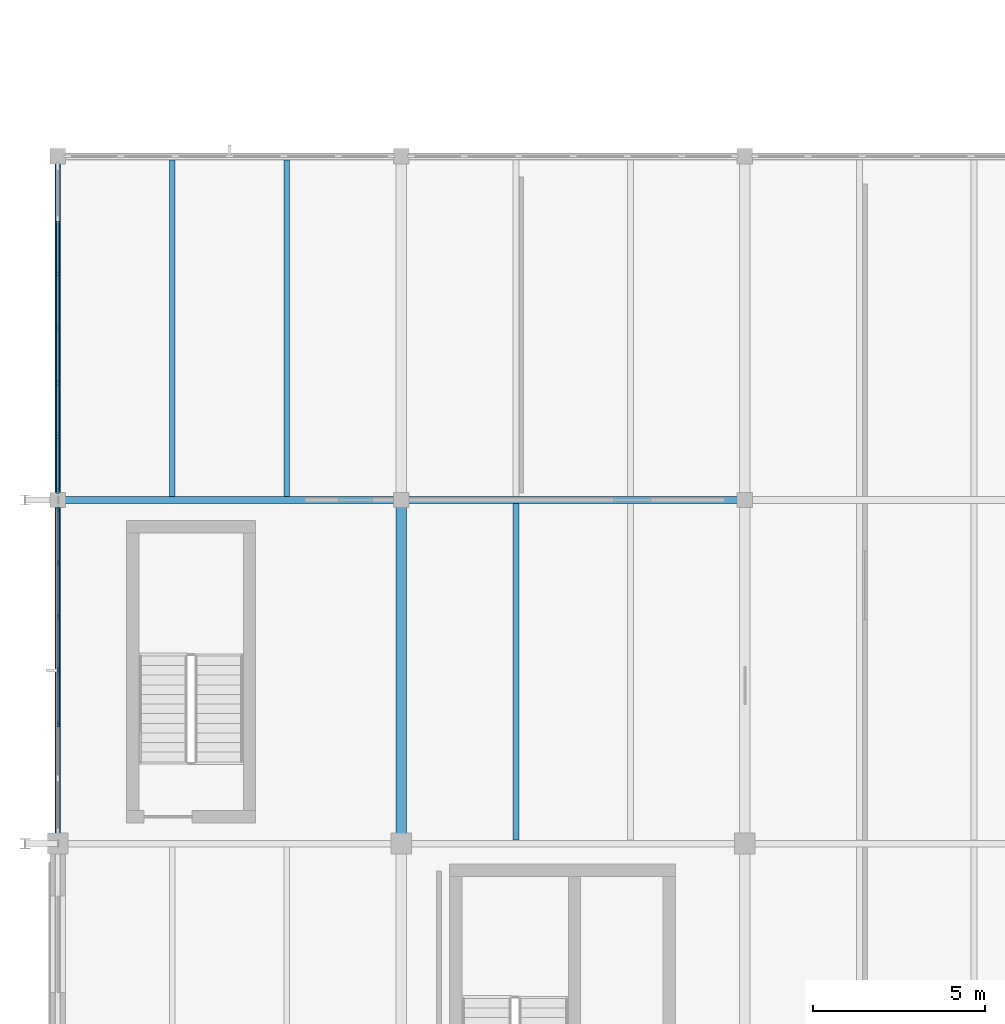
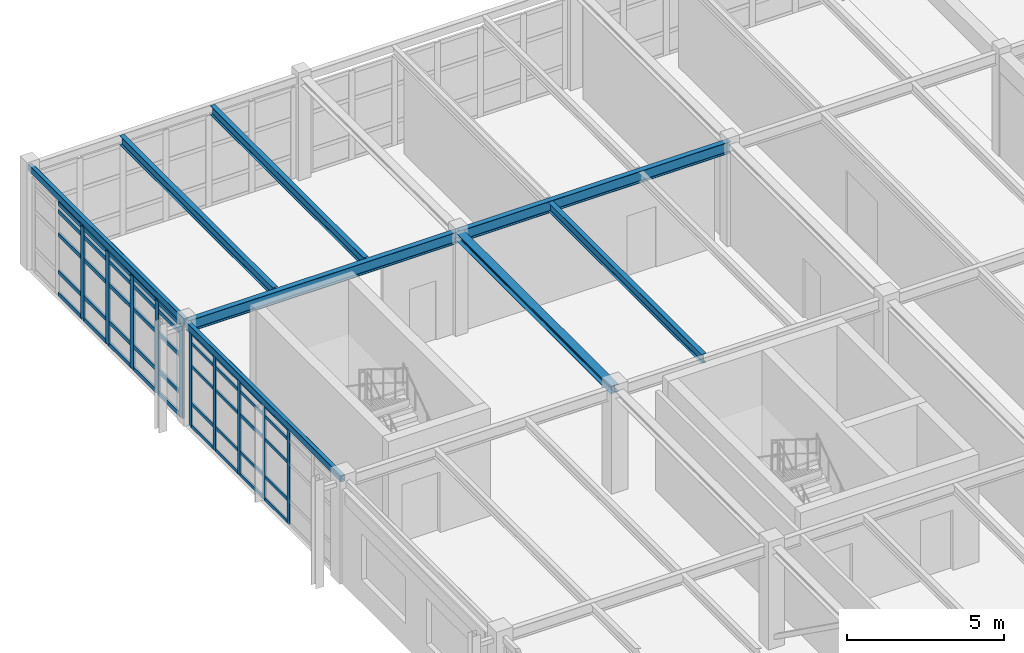
# One storey, part 33 of 122: 55 members, 8 beams, 2 elements without a shape of their own.
"""IFC4 building model written with IfcOpenShell, lengths in metres."""

from ifc_helpers import new_model, si_unit, direction, frame, origin, origin_2d, place, context, subcontext, project, spatial, rectangle, hollow_rectangle, i_section, extrude, material, layer, layer_set, material_profile, profile_set, type_object, element, aggregate, save


model = new_model("IFC4")

# Units and contexts
model_context = context("Model", 3, precision=1e-05, world=origin(), true_north=direction((0.0, 1.0)))
body_context = subcontext(model_context, "Body", "Model", "MODEL_VIEW")
ifc_project = project(units=[si_unit("LENGTHUNIT", "METRE"), si_unit("AREAUNIT", "SQUARE_METRE"), si_unit("VOLUMEUNIT", "CUBIC_METRE"), si_unit("PLANEANGLEUNIT", "RADIAN"), si_unit("MASSUNIT", "GRAM", prefix="KILO"), si_unit("THERMODYNAMICTEMPERATUREUNIT", "KELVIN"), si_unit("POWERUNIT", "WATT")], contexts=[model_context])

# Site, building, storey
site_placement = place(None, origin())
site = spatial("IfcSite", under=ifc_project, at=site_placement, CompositionType="ELEMENT")
building_placement = place(site_placement, origin())
building = spatial("IfcBuilding", under=site, at=building_placement, Name="Korenveer Ferry Terminal", CompositionType="ELEMENT")
storey_placement = place(building_placement, frame((0.0, 0.0, 10.199951171875)))
storey = spatial("IfcBuildingStorey", under=building, at=storey_placement, Name="L02", CompositionType="ELEMENT", Elevation=10.199951171875)

# Curtain wall, members
ifc_material_1 = material(Name="Unitised bronze-and-glass curtain wall", Category="glass")
ifc_layer_1 = layer(ifc_material_1, 0.159912109375)
ifc_layer_set_1 = layer_set([ifc_layer_1], Name="Unitised bronze-and-glass curtain wall")
curtain_wall_type_1 = type_object("IfcCurtainWallType", Name="ENV-CW-106", PredefinedType="USERDEFINED", material=ifc_layer_set_1)
curtain_wall_1_placement = place(storey_placement, frame((0.0, 60.330078125, 0.0)))
curtain_wall_1 = element("IfcCurtainWall", 1, at=curtain_wall_1_placement, inside=storey, type_object=curtain_wall_type_1, Name="Lancet curtain wall CWX-L02-X0-0-Y60-70", ObjectType="UNITISED CURTAIN WALL", PredefinedType="USERDEFINED")
ifc_material_2 = material(Name="Anodised bronze aluminium", Category="aluminium")
ifc_material_profile_1 = material_profile(ifc_material_2, rectangle(XDim=0.06005859375, YDim=0.159912109375, at=origin_2d()), Name="ALU 60x160")
ifc_profile_set_1 = profile_set([ifc_material_profile_1], Name="Anodised bronze aluminium")
member_type_1 = type_object("IfcMemberType", Name="ENV-CWM-60X160", PredefinedType="MULLION", material=ifc_profile_set_1)
member_1_placement = place(storey_placement, frame((0.0, 63.46826171875, 0.0), z_axis=(0.0, 0.0, 1.0), x_axis=(-1.0, 0.0, 0.0)))
member_1 = element("IfcMember", 2, at=member_1_placement, type_object=member_type_1, Name="CW-106 mullion 3", PredefinedType="MULLION", context=body_context, shape_type="SweptSolid", body=[
    extrude(rectangle(XDim=0.06005859375, YDim=0.159912109375, at=origin_2d()), origin(), (0.0, 0.0, 1.0), 3.670166015625),
])
member_2_placement = place(storey_placement, frame((0.0, 65.03759765625, 0.0), z_axis=(0.0, 0.0, 1.0), x_axis=(-1.0, 0.0, 0.0)))
member_2 = element("IfcMember", 3, at=member_2_placement, type_object=member_type_1, Name="CW-106 mullion 4", PredefinedType="MULLION", context=body_context, shape_type="SweptSolid", body=[
    extrude(rectangle(XDim=0.06005859375, YDim=0.159912109375, at=origin_2d()), origin(), (0.0, 0.0, 1.0), 3.670166015625),
])
member_3_placement = place(storey_placement, frame((0.0, 66.606689453125, 0.0), z_axis=(0.0, 0.0, 1.0), x_axis=(-1.0, 0.0, 0.0)))
member_3 = element("IfcMember", 4, at=member_3_placement, type_object=member_type_1, Name="CW-106 mullion 5", PredefinedType="MULLION", context=body_context, shape_type="SweptSolid", body=[
    extrude(rectangle(XDim=0.06005859375, YDim=0.159912109375, at=origin_2d()), origin(), (0.0, 0.0, 1.0), 3.670166015625),
])
member_4_placement = place(storey_placement, frame((0.0, 68.17578125, 0.0), z_axis=(0.0, 0.0, 1.0), x_axis=(-1.0, 0.0, 0.0)))
member_4 = element("IfcMember", 5, at=member_4_placement, type_object=member_type_1, Name="CW-106 mullion 6", PredefinedType="MULLION", context=body_context, shape_type="SweptSolid", body=[
    extrude(rectangle(XDim=0.06005859375, YDim=0.159912109375, at=origin_2d()), origin(), (0.0, 0.0, 1.0), 3.670166015625),
])
member_5_placement = place(storey_placement, frame((0.0, 69.715087890625, 0.0), z_axis=(0.0, 0.0, 1.0), x_axis=(-1.0, 0.0, 0.0)))
member_5 = element("IfcMember", 6, at=member_5_placement, type_object=member_type_1, Name="CW-106 mullion 7", PredefinedType="MULLION", context=body_context, shape_type="SweptSolid", body=[
    extrude(rectangle(XDim=0.06005859375, YDim=0.159912109375, at=origin_2d()), origin(), (0.0, 0.0, 1.0), 3.670166015625),
])

ifc_layer_2 = layer(ifc_material_1, 0.219970703125)
ifc_layer_set_2 = layer_set([ifc_layer_2], Name="Unitised bronze-and-glass curtain wall")
curtain_wall_type_2 = type_object("IfcCurtainWallType", Name="ENV-CW-107", PredefinedType="USERDEFINED", material=ifc_layer_set_2)
curtain_wall_2_placement = place(storey_placement, frame((0.0, 70.2548828125, 0.0)))
curtain_wall_2 = element("IfcCurtainWall", 7, at=curtain_wall_2_placement, inside=storey, type_object=curtain_wall_type_2, Name="Lancet curtain wall CWX-L02-X0-0-Y70-80", ObjectType="UNITISED CURTAIN WALL", PredefinedType="USERDEFINED")
ifc_material_profile_2 = material_profile(ifc_material_2, rectangle(XDim=0.074951171875, YDim=0.219970703125, at=origin_2d()), Name="ALU 75x220")
ifc_profile_set_2 = profile_set([ifc_material_profile_2], Name="Anodised bronze aluminium")
member_type_2 = type_object("IfcMemberType", Name="ENV-CWM-75X220", PredefinedType="MULLION", material=ifc_profile_set_2)
member_6_placement = place(storey_placement, frame((0.0, 70.29248046875, 0.0), z_axis=(0.0, 0.0, 1.0), x_axis=(-1.0, 0.0, 0.0)))
member_6 = element("IfcMember", 8, at=member_6_placement, type_object=member_type_2, Name="CW-107 mullion 1", PredefinedType="MULLION", context=body_context, shape_type="SweptSolid", body=[
    extrude(rectangle(XDim=0.074951171875, YDim=0.219970703125, at=origin_2d()), origin(), (0.0, 0.0, 1.0), 3.60009765625),
])
member_7_placement = place(storey_placement, frame((0.0, 71.836669921875, 0.0), z_axis=(0.0, 0.0, 1.0), x_axis=(-1.0, 0.0, 0.0)))
member_7 = element("IfcMember", 9, at=member_7_placement, type_object=member_type_2, Name="CW-107 mullion 2", PredefinedType="MULLION", context=body_context, shape_type="SweptSolid", body=[
    extrude(rectangle(XDim=0.074951171875, YDim=0.219970703125, at=origin_2d()), origin(), (0.0, 0.0, 1.0), 3.60009765625),
])
member_8_placement = place(storey_placement, frame((0.0, 73.418212890625, 0.0), z_axis=(0.0, 0.0, 1.0), x_axis=(-1.0, 0.0, 0.0)))
member_8 = element("IfcMember", 10, at=member_8_placement, type_object=member_type_2, Name="CW-107 mullion 3", PredefinedType="MULLION", context=body_context, shape_type="SweptSolid", body=[
    extrude(rectangle(XDim=0.074951171875, YDim=0.219970703125, at=origin_2d()), origin(), (0.0, 0.0, 1.0), 3.60009765625),
])
member_9_placement = place(storey_placement, frame((0.0, 75.0, 0.0), z_axis=(0.0, 0.0, 1.0), x_axis=(-1.0, 0.0, 0.0)))
member_9 = element("IfcMember", 11, at=member_9_placement, type_object=member_type_2, Name="CW-107 mullion 4", PredefinedType="MULLION", context=body_context, shape_type="SweptSolid", body=[
    extrude(rectangle(XDim=0.074951171875, YDim=0.219970703125, at=origin_2d()), origin(), (0.0, 0.0, 1.0), 3.60009765625),
])
member_10_placement = place(storey_placement, frame((0.0, 76.581787109375, 0.0), z_axis=(0.0, 0.0, 1.0), x_axis=(-1.0, 0.0, 0.0)))
member_10 = element("IfcMember", 12, at=member_10_placement, type_object=member_type_2, Name="CW-107 mullion 5", PredefinedType="MULLION", context=body_context, shape_type="SweptSolid", body=[
    extrude(rectangle(XDim=0.074951171875, YDim=0.219970703125, at=origin_2d()), origin(), (0.0, 0.0, 1.0), 3.60009765625),
])

# Member
ifc_material_profile_3 = material_profile(ifc_material_2, rectangle(XDim=0.06005859375, YDim=0.1201171875, at=origin_2d()), Name="ALU 60x120")
ifc_profile_set_3 = profile_set([ifc_material_profile_3], Name="Anodised bronze aluminium")
member_type_3 = type_object("IfcMemberType", Name="ENV-CWT-60X120", PredefinedType="USERDEFINED", material=ifc_profile_set_3)
member_11_placement = place(storey_placement, frame((0.0, 63.498291015625, 0.030029296875), z_axis=(0.0, 1.0, 0.0), x_axis=(-1.0, 0.0, 0.0)))
member_11 = element("IfcMember", 13, at=member_11_placement, type_object=member_type_3, Name="CW-106 transom 3.1", ObjectType="TRANSOM", PredefinedType="USERDEFINED", context=body_context, shape_type="SweptSolid", body=[
    extrude(rectangle(XDim=0.06005859375, YDim=0.1201171875, at=origin_2d()), origin(), (0.0, 0.0, 1.0), 1.50927734375),
])

member_12_placement = place(storey_placement, frame((0.0, 63.498291015625, 0.900146484375), z_axis=(0.0, 1.0, 0.0), x_axis=(-1.0, 0.0, 0.0)))
member_12 = element("IfcMember", 14, at=member_12_placement, type_object=member_type_3, Name="CW-106 transom 3.2", ObjectType="TRANSOM", PredefinedType="USERDEFINED", context=body_context, shape_type="SweptSolid", body=[
    extrude(rectangle(XDim=0.06005859375, YDim=0.1201171875, at=origin_2d()), origin(), (0.0, 0.0, 1.0), 1.50927734375),
])

member_13_placement = place(storey_placement, frame((0.0, 63.498291015625, 2.35009765625), z_axis=(0.0, 1.0, 0.0), x_axis=(-1.0, 0.0, 0.0)))
member_13 = element("IfcMember", 15, at=member_13_placement, type_object=member_type_3, Name="CW-106 transom 3.3", ObjectType="TRANSOM", PredefinedType="USERDEFINED", context=body_context, shape_type="SweptSolid", body=[
    extrude(rectangle(XDim=0.06005859375, YDim=0.1201171875, at=origin_2d()), origin(), (0.0, 0.0, 1.0), 1.50927734375),
])

member_14_placement = place(storey_placement, frame((0.0, 63.498291015625, 3.25), z_axis=(0.0, 1.0, 0.0), x_axis=(-1.0, 0.0, 0.0)))
member_14 = element("IfcMember", 16, at=member_14_placement, type_object=member_type_3, Name="CW-106 transom 3.4", ObjectType="TRANSOM", PredefinedType="USERDEFINED", context=body_context, shape_type="SweptSolid", body=[
    extrude(rectangle(XDim=0.06005859375, YDim=0.1201171875, at=origin_2d()), origin(), (0.0, 0.0, 1.0), 1.50927734375),
])

member_15_placement = place(storey_placement, frame((0.0, 63.498291015625, 3.64013671875), z_axis=(0.0, 1.0, 0.0), x_axis=(-1.0, 0.0, 0.0)))
member_15 = element("IfcMember", 17, at=member_15_placement, type_object=member_type_3, Name="CW-106 transom 3.5", ObjectType="TRANSOM", PredefinedType="USERDEFINED", context=body_context, shape_type="SweptSolid", body=[
    extrude(rectangle(XDim=0.06005859375, YDim=0.1201171875, at=origin_2d()), origin(), (0.0, 0.0, 1.0), 1.50927734375),
])

member_16_placement = place(storey_placement, frame((0.0, 65.0673828125, 0.030029296875), z_axis=(0.0, 1.0, 0.0), x_axis=(-1.0, 0.0, 0.0)))
member_16 = element("IfcMember", 18, at=member_16_placement, type_object=member_type_3, Name="CW-106 transom 4.1", ObjectType="TRANSOM", PredefinedType="USERDEFINED", context=body_context, shape_type="SweptSolid", body=[
    extrude(rectangle(XDim=0.06005859375, YDim=0.1201171875, at=origin_2d()), origin(), (0.0, 0.0, 1.0), 1.50927734375),
])

member_17_placement = place(storey_placement, frame((0.0, 65.0673828125, 0.900146484375), z_axis=(0.0, 1.0, 0.0), x_axis=(-1.0, 0.0, 0.0)))
member_17 = element("IfcMember", 19, at=member_17_placement, type_object=member_type_3, Name="CW-106 transom 4.2", ObjectType="TRANSOM", PredefinedType="USERDEFINED", context=body_context, shape_type="SweptSolid", body=[
    extrude(rectangle(XDim=0.06005859375, YDim=0.1201171875, at=origin_2d()), origin(), (0.0, 0.0, 1.0), 1.50927734375),
])

member_18_placement = place(storey_placement, frame((0.0, 65.0673828125, 2.35009765625), z_axis=(0.0, 1.0, 0.0), x_axis=(-1.0, 0.0, 0.0)))
member_18 = element("IfcMember", 20, at=member_18_placement, type_object=member_type_3, Name="CW-106 transom 4.3", ObjectType="TRANSOM", PredefinedType="USERDEFINED", context=body_context, shape_type="SweptSolid", body=[
    extrude(rectangle(XDim=0.06005859375, YDim=0.1201171875, at=origin_2d()), origin(), (0.0, 0.0, 1.0), 1.50927734375),
])

member_19_placement = place(storey_placement, frame((0.0, 65.0673828125, 3.25), z_axis=(0.0, 1.0, 0.0), x_axis=(-1.0, 0.0, 0.0)))
member_19 = element("IfcMember", 21, at=member_19_placement, type_object=member_type_3, Name="CW-106 transom 4.4", ObjectType="TRANSOM", PredefinedType="USERDEFINED", context=body_context, shape_type="SweptSolid", body=[
    extrude(rectangle(XDim=0.06005859375, YDim=0.1201171875, at=origin_2d()), origin(), (0.0, 0.0, 1.0), 1.50927734375),
])

member_20_placement = place(storey_placement, frame((0.0, 65.0673828125, 3.64013671875), z_axis=(0.0, 1.0, 0.0), x_axis=(-1.0, 0.0, 0.0)))
member_20 = element("IfcMember", 22, at=member_20_placement, type_object=member_type_3, Name="CW-106 transom 4.5", ObjectType="TRANSOM", PredefinedType="USERDEFINED", context=body_context, shape_type="SweptSolid", body=[
    extrude(rectangle(XDim=0.06005859375, YDim=0.1201171875, at=origin_2d()), origin(), (0.0, 0.0, 1.0), 1.50927734375),
])

member_21_placement = place(storey_placement, frame((0.0, 66.63671875, 0.030029296875), z_axis=(0.0, 1.0, 0.0), x_axis=(-1.0, 0.0, 0.0)))
member_21 = element("IfcMember", 23, at=member_21_placement, type_object=member_type_3, Name="CW-106 transom 5.1", ObjectType="TRANSOM", PredefinedType="USERDEFINED", context=body_context, shape_type="SweptSolid", body=[
    extrude(rectangle(XDim=0.06005859375, YDim=0.1201171875, at=origin_2d()), origin(), (0.0, 0.0, 1.0), 1.509033203125),
])

member_22_placement = place(storey_placement, frame((0.0, 66.63671875, 0.900146484375), z_axis=(0.0, 1.0, 0.0), x_axis=(-1.0, 0.0, 0.0)))
member_22 = element("IfcMember", 24, at=member_22_placement, type_object=member_type_3, Name="CW-106 transom 5.2", ObjectType="TRANSOM", PredefinedType="USERDEFINED", context=body_context, shape_type="SweptSolid", body=[
    extrude(rectangle(XDim=0.06005859375, YDim=0.1201171875, at=origin_2d()), origin(), (0.0, 0.0, 1.0), 1.509033203125),
])

member_23_placement = place(storey_placement, frame((0.0, 66.63671875, 2.35009765625), z_axis=(0.0, 1.0, 0.0), x_axis=(-1.0, 0.0, 0.0)))
member_23 = element("IfcMember", 25, at=member_23_placement, type_object=member_type_3, Name="CW-106 transom 5.3", ObjectType="TRANSOM", PredefinedType="USERDEFINED", context=body_context, shape_type="SweptSolid", body=[
    extrude(rectangle(XDim=0.06005859375, YDim=0.1201171875, at=origin_2d()), origin(), (0.0, 0.0, 1.0), 1.509033203125),
])

member_24_placement = place(storey_placement, frame((0.0, 66.63671875, 3.25), z_axis=(0.0, 1.0, 0.0), x_axis=(-1.0, 0.0, 0.0)))
member_24 = element("IfcMember", 26, at=member_24_placement, type_object=member_type_3, Name="CW-106 transom 5.4", ObjectType="TRANSOM", PredefinedType="USERDEFINED", context=body_context, shape_type="SweptSolid", body=[
    extrude(rectangle(XDim=0.06005859375, YDim=0.1201171875, at=origin_2d()), origin(), (0.0, 0.0, 1.0), 1.509033203125),
])

member_25_placement = place(storey_placement, frame((0.0, 66.63671875, 3.64013671875), z_axis=(0.0, 1.0, 0.0), x_axis=(-1.0, 0.0, 0.0)))
member_25 = element("IfcMember", 27, at=member_25_placement, type_object=member_type_3, Name="CW-106 transom 5.5", ObjectType="TRANSOM", PredefinedType="USERDEFINED", context=body_context, shape_type="SweptSolid", body=[
    extrude(rectangle(XDim=0.06005859375, YDim=0.1201171875, at=origin_2d()), origin(), (0.0, 0.0, 1.0), 1.509033203125),
])

member_26_placement = place(storey_placement, frame((0.0, 68.205810546875, 0.030029296875), z_axis=(0.0, 1.0, 0.0), x_axis=(-1.0, 0.0, 0.0)))
member_26 = element("IfcMember", 28, at=member_26_placement, type_object=member_type_3, Name="CW-106 transom 6.1", ObjectType="TRANSOM", PredefinedType="USERDEFINED", context=body_context, shape_type="SweptSolid", body=[
    extrude(rectangle(XDim=0.06005859375, YDim=0.1201171875, at=origin_2d()), origin(), (0.0, 0.0, 1.0), 1.479248046875),
])

member_27_placement = place(storey_placement, frame((0.0, 68.205810546875, 0.900146484375), z_axis=(0.0, 1.0, 0.0), x_axis=(-1.0, 0.0, 0.0)))
member_27 = element("IfcMember", 29, at=member_27_placement, type_object=member_type_3, Name="CW-106 transom 6.2", ObjectType="TRANSOM", PredefinedType="USERDEFINED", context=body_context, shape_type="SweptSolid", body=[
    extrude(rectangle(XDim=0.06005859375, YDim=0.1201171875, at=origin_2d()), origin(), (0.0, 0.0, 1.0), 1.479248046875),
])

member_28_placement = place(storey_placement, frame((0.0, 68.205810546875, 2.35009765625), z_axis=(0.0, 1.0, 0.0), x_axis=(-1.0, 0.0, 0.0)))
member_28 = element("IfcMember", 30, at=member_28_placement, type_object=member_type_3, Name="CW-106 transom 6.3", ObjectType="TRANSOM", PredefinedType="USERDEFINED", context=body_context, shape_type="SweptSolid", body=[
    extrude(rectangle(XDim=0.06005859375, YDim=0.1201171875, at=origin_2d()), origin(), (0.0, 0.0, 1.0), 1.479248046875),
])

member_29_placement = place(storey_placement, frame((0.0, 68.205810546875, 3.25), z_axis=(0.0, 1.0, 0.0), x_axis=(-1.0, 0.0, 0.0)))
member_29 = element("IfcMember", 31, at=member_29_placement, type_object=member_type_3, Name="CW-106 transom 6.4", ObjectType="TRANSOM", PredefinedType="USERDEFINED", context=body_context, shape_type="SweptSolid", body=[
    extrude(rectangle(XDim=0.06005859375, YDim=0.1201171875, at=origin_2d()), origin(), (0.0, 0.0, 1.0), 1.479248046875),
])

member_30_placement = place(storey_placement, frame((0.0, 68.205810546875, 3.64013671875), z_axis=(0.0, 1.0, 0.0), x_axis=(-1.0, 0.0, 0.0)))
member_30 = element("IfcMember", 32, at=member_30_placement, type_object=member_type_3, Name="CW-106 transom 6.5", ObjectType="TRANSOM", PredefinedType="USERDEFINED", context=body_context, shape_type="SweptSolid", body=[
    extrude(rectangle(XDim=0.06005859375, YDim=0.1201171875, at=origin_2d()), origin(), (0.0, 0.0, 1.0), 1.479248046875),
])

aggregate(curtain_wall_1, [member_1, member_2, member_3, member_4, member_5, member_11, member_12, member_13, member_14, member_15, member_16, member_17, member_18, member_19, member_20, member_21, member_22, member_23, member_24, member_25, member_26, member_27, member_28, member_29, member_30])

ifc_material_profile_4 = material_profile(ifc_material_2, rectangle(XDim=0.074951171875, YDim=0.14990234375, at=origin_2d()), Name="ALU 75x150")
ifc_profile_set_4 = profile_set([ifc_material_profile_4], Name="Anodised bronze aluminium")
member_type_4 = type_object("IfcMemberType", Name="ENV-CWT-75X150", PredefinedType="USERDEFINED", material=ifc_profile_set_4)
member_31_placement = place(storey_placement, frame((0.0, 70.330078125, 0.03759765625), z_axis=(0.0, 1.0, 0.0), x_axis=(-1.0, 0.0, 0.0)))
member_31 = element("IfcMember", 33, at=member_31_placement, type_object=member_type_4, Name="CW-107 transom 1.1", ObjectType="TRANSOM", PredefinedType="USERDEFINED", context=body_context, shape_type="SweptSolid", body=[
    extrude(rectangle(XDim=0.074951171875, YDim=0.14990234375, at=origin_2d()), origin(), (0.0, 0.0, 1.0), 1.468994140625),
])

member_32_placement = place(storey_placement, frame((0.0, 70.330078125, 0.900146484375), z_axis=(0.0, 1.0, 0.0), x_axis=(-1.0, 0.0, 0.0)))
member_32 = element("IfcMember", 34, at=member_32_placement, type_object=member_type_4, Name="CW-107 transom 1.2", ObjectType="TRANSOM", PredefinedType="USERDEFINED", context=body_context, shape_type="SweptSolid", body=[
    extrude(rectangle(XDim=0.074951171875, YDim=0.14990234375, at=origin_2d()), origin(), (0.0, 0.0, 1.0), 1.468994140625),
])

member_33_placement = place(storey_placement, frame((0.0, 70.330078125, 2.35009765625), z_axis=(0.0, 1.0, 0.0), x_axis=(-1.0, 0.0, 0.0)))
member_33 = element("IfcMember", 35, at=member_33_placement, type_object=member_type_4, Name="CW-107 transom 1.3", ObjectType="TRANSOM", PredefinedType="USERDEFINED", context=body_context, shape_type="SweptSolid", body=[
    extrude(rectangle(XDim=0.074951171875, YDim=0.14990234375, at=origin_2d()), origin(), (0.0, 0.0, 1.0), 1.468994140625),
])

member_34_placement = place(storey_placement, frame((0.0, 70.330078125, 3.25), z_axis=(0.0, 1.0, 0.0), x_axis=(-1.0, 0.0, 0.0)))
member_34 = element("IfcMember", 36, at=member_34_placement, type_object=member_type_4, Name="CW-107 transom 1.4", ObjectType="TRANSOM", PredefinedType="USERDEFINED", context=body_context, shape_type="SweptSolid", body=[
    extrude(rectangle(XDim=0.074951171875, YDim=0.14990234375, at=origin_2d()), origin(), (0.0, 0.0, 1.0), 1.468994140625),
])

member_35_placement = place(storey_placement, frame((0.0, 70.330078125, 3.5625), z_axis=(0.0, 1.0, 0.0), x_axis=(-1.0, 0.0, 0.0)))
member_35 = element("IfcMember", 37, at=member_35_placement, type_object=member_type_4, Name="CW-107 transom 1.5", ObjectType="TRANSOM", PredefinedType="USERDEFINED", context=body_context, shape_type="SweptSolid", body=[
    extrude(rectangle(XDim=0.074951171875, YDim=0.14990234375, at=origin_2d()), origin(), (0.0, 0.0, 1.0), 1.468994140625),
])

member_36_placement = place(storey_placement, frame((0.0, 71.874267578125, 0.03759765625), z_axis=(0.0, 1.0, 0.0), x_axis=(-1.0, 0.0, 0.0)))
member_36 = element("IfcMember", 38, at=member_36_placement, type_object=member_type_4, Name="CW-107 transom 2.1", ObjectType="TRANSOM", PredefinedType="USERDEFINED", context=body_context, shape_type="SweptSolid", body=[
    extrude(rectangle(XDim=0.074951171875, YDim=0.14990234375, at=origin_2d()), origin(), (0.0, 0.0, 1.0), 1.506591796875),
])

member_37_placement = place(storey_placement, frame((0.0, 71.874267578125, 0.900146484375), z_axis=(0.0, 1.0, 0.0), x_axis=(-1.0, 0.0, 0.0)))
member_37 = element("IfcMember", 39, at=member_37_placement, type_object=member_type_4, Name="CW-107 transom 2.2", ObjectType="TRANSOM", PredefinedType="USERDEFINED", context=body_context, shape_type="SweptSolid", body=[
    extrude(rectangle(XDim=0.074951171875, YDim=0.14990234375, at=origin_2d()), origin(), (0.0, 0.0, 1.0), 1.506591796875),
])

member_38_placement = place(storey_placement, frame((0.0, 71.874267578125, 2.35009765625), z_axis=(0.0, 1.0, 0.0), x_axis=(-1.0, 0.0, 0.0)))
member_38 = element("IfcMember", 40, at=member_38_placement, type_object=member_type_4, Name="CW-107 transom 2.3", ObjectType="TRANSOM", PredefinedType="USERDEFINED", context=body_context, shape_type="SweptSolid", body=[
    extrude(rectangle(XDim=0.074951171875, YDim=0.14990234375, at=origin_2d()), origin(), (0.0, 0.0, 1.0), 1.506591796875),
])

member_39_placement = place(storey_placement, frame((0.0, 71.874267578125, 3.25), z_axis=(0.0, 1.0, 0.0), x_axis=(-1.0, 0.0, 0.0)))
member_39 = element("IfcMember", 41, at=member_39_placement, type_object=member_type_4, Name="CW-107 transom 2.4", ObjectType="TRANSOM", PredefinedType="USERDEFINED", context=body_context, shape_type="SweptSolid", body=[
    extrude(rectangle(XDim=0.074951171875, YDim=0.14990234375, at=origin_2d()), origin(), (0.0, 0.0, 1.0), 1.506591796875),
])

member_40_placement = place(storey_placement, frame((0.0, 71.874267578125, 3.5625), z_axis=(0.0, 1.0, 0.0), x_axis=(-1.0, 0.0, 0.0)))
member_40 = element("IfcMember", 42, at=member_40_placement, type_object=member_type_4, Name="CW-107 transom 2.5", ObjectType="TRANSOM", PredefinedType="USERDEFINED", context=body_context, shape_type="SweptSolid", body=[
    extrude(rectangle(XDim=0.074951171875, YDim=0.14990234375, at=origin_2d()), origin(), (0.0, 0.0, 1.0), 1.506591796875),
])

member_41_placement = place(storey_placement, frame((0.0, 73.455810546875, 0.03759765625), z_axis=(0.0, 1.0, 0.0), x_axis=(-1.0, 0.0, 0.0)))
member_41 = element("IfcMember", 43, at=member_41_placement, type_object=member_type_4, Name="CW-107 transom 3.1", ObjectType="TRANSOM", PredefinedType="USERDEFINED", context=body_context, shape_type="SweptSolid", body=[
    extrude(rectangle(XDim=0.074951171875, YDim=0.14990234375, at=origin_2d()), origin(), (0.0, 0.0, 1.0), 1.506591796875),
])

member_42_placement = place(storey_placement, frame((0.0, 73.455810546875, 0.900146484375), z_axis=(0.0, 1.0, 0.0), x_axis=(-1.0, 0.0, 0.0)))
member_42 = element("IfcMember", 44, at=member_42_placement, type_object=member_type_4, Name="CW-107 transom 3.2", ObjectType="TRANSOM", PredefinedType="USERDEFINED", context=body_context, shape_type="SweptSolid", body=[
    extrude(rectangle(XDim=0.074951171875, YDim=0.14990234375, at=origin_2d()), origin(), (0.0, 0.0, 1.0), 1.506591796875),
])

member_43_placement = place(storey_placement, frame((0.0, 73.455810546875, 2.35009765625), z_axis=(0.0, 1.0, 0.0), x_axis=(-1.0, 0.0, 0.0)))
member_43 = element("IfcMember", 45, at=member_43_placement, type_object=member_type_4, Name="CW-107 transom 3.3", ObjectType="TRANSOM", PredefinedType="USERDEFINED", context=body_context, shape_type="SweptSolid", body=[
    extrude(rectangle(XDim=0.074951171875, YDim=0.14990234375, at=origin_2d()), origin(), (0.0, 0.0, 1.0), 1.506591796875),
])

member_44_placement = place(storey_placement, frame((0.0, 73.455810546875, 3.25), z_axis=(0.0, 1.0, 0.0), x_axis=(-1.0, 0.0, 0.0)))
member_44 = element("IfcMember", 46, at=member_44_placement, type_object=member_type_4, Name="CW-107 transom 3.4", ObjectType="TRANSOM", PredefinedType="USERDEFINED", context=body_context, shape_type="SweptSolid", body=[
    extrude(rectangle(XDim=0.074951171875, YDim=0.14990234375, at=origin_2d()), origin(), (0.0, 0.0, 1.0), 1.506591796875),
])

member_45_placement = place(storey_placement, frame((0.0, 73.455810546875, 3.5625), z_axis=(0.0, 1.0, 0.0), x_axis=(-1.0, 0.0, 0.0)))
member_45 = element("IfcMember", 47, at=member_45_placement, type_object=member_type_4, Name="CW-107 transom 3.5", ObjectType="TRANSOM", PredefinedType="USERDEFINED", context=body_context, shape_type="SweptSolid", body=[
    extrude(rectangle(XDim=0.074951171875, YDim=0.14990234375, at=origin_2d()), origin(), (0.0, 0.0, 1.0), 1.506591796875),
])

member_46_placement = place(storey_placement, frame((0.0, 75.03759765625, 0.03759765625), z_axis=(0.0, 1.0, 0.0), x_axis=(-1.0, 0.0, 0.0)))
member_46 = element("IfcMember", 48, at=member_46_placement, type_object=member_type_4, Name="CW-107 transom 4.1", ObjectType="TRANSOM", PredefinedType="USERDEFINED", context=body_context, shape_type="SweptSolid", body=[
    extrude(rectangle(XDim=0.074951171875, YDim=0.14990234375, at=origin_2d()), origin(), (0.0, 0.0, 1.0), 1.506591796875),
])

member_47_placement = place(storey_placement, frame((0.0, 75.03759765625, 0.900146484375), z_axis=(0.0, 1.0, 0.0), x_axis=(-1.0, 0.0, 0.0)))
member_47 = element("IfcMember", 49, at=member_47_placement, type_object=member_type_4, Name="CW-107 transom 4.2", ObjectType="TRANSOM", PredefinedType="USERDEFINED", context=body_context, shape_type="SweptSolid", body=[
    extrude(rectangle(XDim=0.074951171875, YDim=0.14990234375, at=origin_2d()), origin(), (0.0, 0.0, 1.0), 1.506591796875),
])

member_48_placement = place(storey_placement, frame((0.0, 75.03759765625, 2.35009765625), z_axis=(0.0, 1.0, 0.0), x_axis=(-1.0, 0.0, 0.0)))
member_48 = element("IfcMember", 50, at=member_48_placement, type_object=member_type_4, Name="CW-107 transom 4.3", ObjectType="TRANSOM", PredefinedType="USERDEFINED", context=body_context, shape_type="SweptSolid", body=[
    extrude(rectangle(XDim=0.074951171875, YDim=0.14990234375, at=origin_2d()), origin(), (0.0, 0.0, 1.0), 1.506591796875),
])

member_49_placement = place(storey_placement, frame((0.0, 75.03759765625, 3.25), z_axis=(0.0, 1.0, 0.0), x_axis=(-1.0, 0.0, 0.0)))
member_49 = element("IfcMember", 51, at=member_49_placement, type_object=member_type_4, Name="CW-107 transom 4.4", ObjectType="TRANSOM", PredefinedType="USERDEFINED", context=body_context, shape_type="SweptSolid", body=[
    extrude(rectangle(XDim=0.074951171875, YDim=0.14990234375, at=origin_2d()), origin(), (0.0, 0.0, 1.0), 1.506591796875),
])

member_50_placement = place(storey_placement, frame((0.0, 75.03759765625, 3.5625), z_axis=(0.0, 1.0, 0.0), x_axis=(-1.0, 0.0, 0.0)))
member_50 = element("IfcMember", 52, at=member_50_placement, type_object=member_type_4, Name="CW-107 transom 4.5", ObjectType="TRANSOM", PredefinedType="USERDEFINED", context=body_context, shape_type="SweptSolid", body=[
    extrude(rectangle(XDim=0.074951171875, YDim=0.14990234375, at=origin_2d()), origin(), (0.0, 0.0, 1.0), 1.506591796875),
])

member_51_placement = place(storey_placement, frame((0.0, 76.619140625, 0.03759765625), z_axis=(0.0, 1.0, 0.0), x_axis=(-1.0, 0.0, 0.0)))
member_51 = element("IfcMember", 53, at=member_51_placement, type_object=member_type_4, Name="CW-107 transom 5.1", ObjectType="TRANSOM", PredefinedType="USERDEFINED", context=body_context, shape_type="SweptSolid", body=[
    extrude(rectangle(XDim=0.074951171875, YDim=0.14990234375, at=origin_2d()), origin(), (0.0, 0.0, 1.0), 1.506591796875),
])

member_52_placement = place(storey_placement, frame((0.0, 76.619140625, 0.900146484375), z_axis=(0.0, 1.0, 0.0), x_axis=(-1.0, 0.0, 0.0)))
member_52 = element("IfcMember", 54, at=member_52_placement, type_object=member_type_4, Name="CW-107 transom 5.2", ObjectType="TRANSOM", PredefinedType="USERDEFINED", context=body_context, shape_type="SweptSolid", body=[
    extrude(rectangle(XDim=0.074951171875, YDim=0.14990234375, at=origin_2d()), origin(), (0.0, 0.0, 1.0), 1.506591796875),
])

member_53_placement = place(storey_placement, frame((0.0, 76.619140625, 2.35009765625), z_axis=(0.0, 1.0, 0.0), x_axis=(-1.0, 0.0, 0.0)))
member_53 = element("IfcMember", 55, at=member_53_placement, type_object=member_type_4, Name="CW-107 transom 5.3", ObjectType="TRANSOM", PredefinedType="USERDEFINED", context=body_context, shape_type="SweptSolid", body=[
    extrude(rectangle(XDim=0.074951171875, YDim=0.14990234375, at=origin_2d()), origin(), (0.0, 0.0, 1.0), 1.506591796875),
])

member_54_placement = place(storey_placement, frame((0.0, 76.619140625, 3.25), z_axis=(0.0, 1.0, 0.0), x_axis=(-1.0, 0.0, 0.0)))
member_54 = element("IfcMember", 56, at=member_54_placement, type_object=member_type_4, Name="CW-107 transom 5.4", ObjectType="TRANSOM", PredefinedType="USERDEFINED", context=body_context, shape_type="SweptSolid", body=[
    extrude(rectangle(XDim=0.074951171875, YDim=0.14990234375, at=origin_2d()), origin(), (0.0, 0.0, 1.0), 1.506591796875),
])

member_55_placement = place(storey_placement, frame((0.0, 76.619140625, 3.5625), z_axis=(0.0, 1.0, 0.0), x_axis=(-1.0, 0.0, 0.0)))
member_55 = element("IfcMember", 57, at=member_55_placement, type_object=member_type_4, Name="CW-107 transom 5.5", ObjectType="TRANSOM", PredefinedType="USERDEFINED", context=body_context, shape_type="SweptSolid", body=[
    extrude(rectangle(XDim=0.074951171875, YDim=0.14990234375, at=origin_2d()), origin(), (0.0, 0.0, 1.0), 1.506591796875),
])

aggregate(curtain_wall_2, [member_6, member_7, member_8, member_9, member_10, member_31, member_32, member_33, member_34, member_35, member_36, member_37, member_38, member_39, member_40, member_41, member_42, member_43, member_44, member_45, member_46, member_47, member_48, member_49, member_50, member_51, member_52, member_53, member_54, member_55])

# Beams
ifc_material_3 = material(Name="Steel S355", Category="steel")
ifc_material_profile_5 = material_profile(ifc_material_3, i_section(OverallWidth=0.300048828125, OverallDepth=0.2900390625, WebThickness=0.008544921875, FlangeThickness=0.013916015625, FilletRadius=0.027099609375, at=origin_2d()), Name="HEA 300")
ifc_profile_set_5 = profile_set([ifc_material_profile_5], Name="Steel S355")
beam_type_1 = type_object("IfcBeamType", Name="STR-BM-HEA300", PredefinedType="BEAM", material=ifc_profile_set_5)
beam_1_placement = place(storey_placement, frame((10.0, 60.02001953125, 3.804931640625), z_axis=(0.0, 1.0, 0.0), x_axis=(-1.0, 0.0, 0.0)))
element("IfcBeam", 58, at=beam_1_placement, inside=storey, type_object=beam_type_1, Name="Primary Y girder BMY-L03-X10-Y60-70", PredefinedType="BEAM", context=body_context, shape_type="SweptSolid", body=[
    extrude(i_section(OverallWidth=0.300048828125, OverallDepth=0.2900390625, WebThickness=0.008544921875, FlangeThickness=0.013916015625, FilletRadius=0.027099609375, at=origin_2d()), origin(), (0.0, 0.0, 1.0), 9.9599609375),
])
ifc_material_profile_6 = material_profile(ifc_material_3, i_section(OverallWidth=0.18994140625, OverallDepth=0.449951171875, WebThickness=0.009521484375, FlangeThickness=0.0146484375, FilletRadius=0.02099609375, at=origin_2d()), Name="IPE 450")
ifc_profile_set_6 = profile_set([ifc_material_profile_6], Name="Steel S355")
beam_type_2 = type_object("IfcBeamType", Name="STR-BM-IPE450", PredefinedType="BEAM", material=ifc_profile_set_6)
for number, where, z_axis, x_axis, name in (
    (59, (0.02001953125, 70.0, 3.72509765625), (1.0, 0.0, 0.0), (0.0, 1.0, 0.0), "Primary X girder BMX-L03-X0-10-Y70"),
    (60, (10.02001953125, 70.0, 3.72509765625), (1.0, 0.0, 0.0), (0.0, 1.0, 0.0), "Primary X girder BMX-L03-X10-20-Y70"),
):
    element("IfcBeam", number, at=place(storey_placement, frame(where, z_axis=z_axis, x_axis=x_axis)), inside=storey, type_object=beam_type_2, Name=name, PredefinedType="BEAM", context=body_context, shape_type="SweptSolid", body=[
        extrude(i_section(OverallWidth=0.18994140625, OverallDepth=0.449951171875, WebThickness=0.009521484375, FlangeThickness=0.0146484375, FilletRadius=0.02099609375, at=origin_2d()), origin(), (0.0, 0.0, 1.0), 9.9599609375),
    ])
ifc_material_profile_7 = material_profile(ifc_material_3, i_section(OverallWidth=0.169921875, OverallDepth=0.360107421875, WebThickness=0.008056640625, FlangeThickness=0.0126953125, FilletRadius=0.01806640625, at=origin_2d()), Name="IPE 360")
ifc_profile_set_7 = profile_set([ifc_material_profile_7], Name="Steel S355")
beam_type_3 = type_object("IfcBeamType", Name="STR-JST-IPE360", PredefinedType="JOIST", material=ifc_profile_set_7)
for number, where, z_axis, x_axis, name in (
    (61, (3.333251953125, 70.10498046875, 3.800048828125), (0.0, 1.0, 0.0), (-1.0, 0.0, 0.0), "Secondary composite joist JST-L03-X33-Y70-80"),
    (62, (6.666748046875, 70.10498046875, 3.800048828125), (0.0, 1.0, 0.0), (-1.0, 0.0, 0.0), "Secondary composite joist JST-L03-X67-Y70-80"),
):
    element("IfcBeam", number, at=place(storey_placement, frame(where, z_axis=z_axis, x_axis=x_axis)), inside=storey, type_object=beam_type_3, Name=name, PredefinedType="JOIST", context=body_context, shape_type="SweptSolid", body=[
        extrude(i_section(OverallWidth=0.169921875, OverallDepth=0.360107421875, WebThickness=0.008056640625, FlangeThickness=0.0126953125, FilletRadius=0.01806640625, at=origin_2d()), origin(), (0.0, 0.0, 1.0), 9.784912109375),
    ])
beam_2_placement = place(storey_placement, frame((13.333251953125, 60.10498046875, 3.77001953125), z_axis=(0.0, 1.0, 0.0), x_axis=(-1.0, 0.0, 0.0)))
element("IfcBeam", 63, at=beam_2_placement, inside=storey, type_object=beam_type_3, Name="Secondary composite joist JST-L03-X133-Y60-70", PredefinedType="JOIST", context=body_context, shape_type="SweptSolid", body=[
    extrude(i_section(OverallWidth=0.169921875, OverallDepth=0.360107421875, WebThickness=0.008056640625, FlangeThickness=0.0126953125, FilletRadius=0.01806640625, at=origin_2d()), origin(), (0.0, 0.0, 1.0), 9.7900390625),
])
ifc_material_profile_8 = material_profile(ifc_material_3, hollow_rectangle(XDim=0.14990234375, YDim=0.25, WallThickness=0.010009765625, InnerFilletRadius=0.010009765625, OuterFilletRadius=0.014892578125, at=origin_2d()), Name="RHS 250x150x10")
ifc_profile_set_8 = profile_set([ifc_material_profile_8], Name="Steel S355")
beam_type_4 = type_object("IfcBeamType", Name="STR-SPD-RHS250", PredefinedType="SPANDREL", material=ifc_profile_set_8)
for number, where, z_axis, x_axis, name in (
    (64, (0.0, 60.02001953125, 3.824951171875), (0.0, 1.0, 0.0), (-1.0, 0.0, 0.0), "Primary Y girder BMY-L03-X0-Y60-70"),
    (65, (0.0, 70.02001953125, 3.85498046875), (0.0, 1.0, 0.0), (-1.0, 0.0, 0.0), "Primary Y girder BMY-L03-X0-Y70-80"),
):
    element("IfcBeam", number, at=place(storey_placement, frame(where, z_axis=z_axis, x_axis=x_axis)), inside=storey, type_object=beam_type_4, Name=name, PredefinedType="SPANDREL", context=body_context, shape_type="SweptSolid", body=[
        extrude(hollow_rectangle(XDim=0.14990234375, YDim=0.25, WallThickness=0.010009765625, InnerFilletRadius=0.010009765625, OuterFilletRadius=0.014892578125, at=origin_2d()), origin(), (0.0, 0.0, 1.0), 9.9599609375),
    ])

save(model, "model.ifc")
